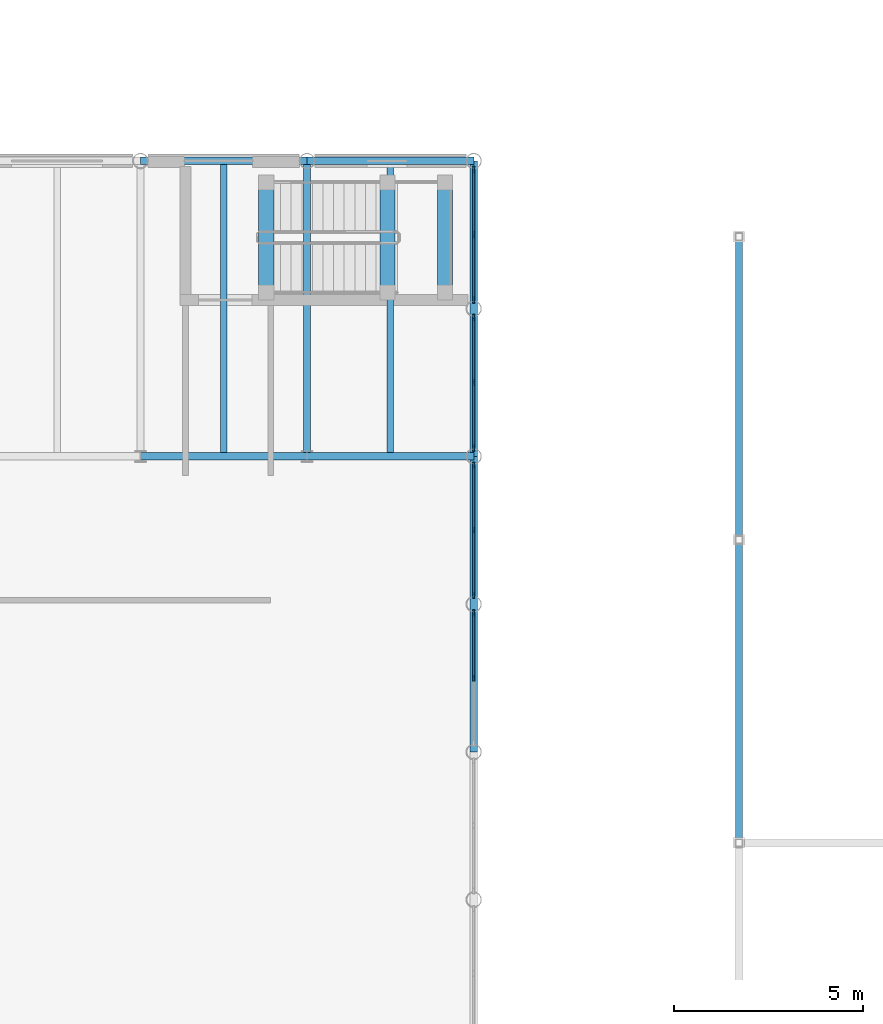
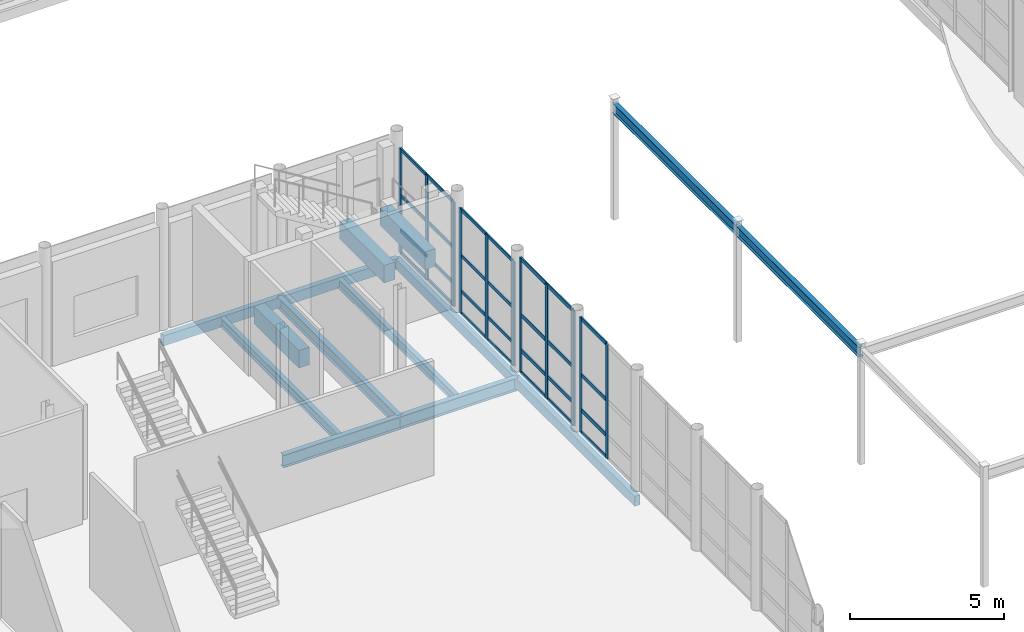
# One storey, part 51 of 131: 39 members, 14 beams, 4 elements without a shape of their own.
"""IFC4 building model written with IfcOpenShell, lengths in metres."""

from ifc_helpers import new_model, si_unit, direction, frame, origin, origin_2d, place, context, subcontext, project, spatial, rectangle, hollow_rectangle, i_section, extrude, material, layer, layer_set, material_profile, profile_set, type_object, element, aggregate, save


model = new_model("IFC4")

# Units and contexts
model_context = context("Model", 3, precision=1e-05, world=origin(), true_north=direction((0.0, 1.0)))
body_context = subcontext(model_context, "Body", "Model", "MODEL_VIEW")
ifc_project = project(units=[si_unit("LENGTHUNIT", "METRE"), si_unit("AREAUNIT", "SQUARE_METRE"), si_unit("VOLUMEUNIT", "CUBIC_METRE"), si_unit("PLANEANGLEUNIT", "RADIAN"), si_unit("MASSUNIT", "GRAM", prefix="KILO")], contexts=[model_context])

# Site, building, storey
site_placement = place(None, origin())
site = spatial("IfcSite", under=ifc_project, at=site_placement, CompositionType="ELEMENT")
building_placement = place(site_placement, origin())
building = spatial("IfcBuilding", under=site, at=building_placement, Name="Celorna Specialist Clinic", CompositionType="ELEMENT")
storey_placement = place(building_placement, origin())
storey = spatial("IfcBuildingStorey", under=building, at=storey_placement, Name="L00", CompositionType="ELEMENT", Elevation=0.0)

# Beams
ifc_material_1 = material(Name="Steel S355", Category="steel")
ifc_material_profile_1 = material_profile(ifc_material_1, i_section(OverallWidth=0.199951171875, OverallDepth=0.5, WebThickness=0.01025390625, FlangeThickness=0.01611328125, at=origin_2d()), Name="IPE 500")
ifc_profile_set_1 = profile_set([ifc_material_profile_1], Name="Steel S355")
beam_type_1 = type_object("IfcBeamType", Name="BM-08", PredefinedType="BEAM", material=ifc_profile_set_1)
beam_1_placement = place(storey_placement, frame((94.199951171875, 70.199951171875, -0.550048828125), z_axis=(1.0, 0.0, 0.0), x_axis=(0.0, 1.0, 0.0)))
element("IfcBeam", 1, at=beam_1_placement, inside=storey, type_object=beam_type_1, Name="Primary girder BM-08 #148", PredefinedType="BEAM", context=body_context, shape_type="SweptSolid", body=[
    extrude(i_section(OverallWidth=0.199951171875, OverallDepth=0.5, WebThickness=0.01025390625, FlangeThickness=0.01611328125, at=origin_2d()), origin(), (0.0, 0.0, 1.0), 4.400146484375),
])
beam_2_placement = place(storey_placement, frame((98.60009765625, 70.199951171875, -0.550048828125), z_axis=(1.0, 0.0, 0.0), x_axis=(0.0, 1.0, 0.0)))
element("IfcBeam", 2, at=beam_2_placement, inside=storey, type_object=beam_type_1, Name="Primary girder BM-08 #149", PredefinedType="BEAM", context=body_context, shape_type="SweptSolid", body=[
    extrude(i_section(OverallWidth=0.199951171875, OverallDepth=0.5, WebThickness=0.01025390625, FlangeThickness=0.01611328125, at=origin_2d()), origin(), (0.0, 0.0, 1.0), 4.39990234375),
])
ifc_material_profile_2 = material_profile(ifc_material_1, i_section(OverallWidth=0.18994140625, OverallDepth=0.449951171875, WebThickness=0.009521484375, FlangeThickness=0.0146484375, at=origin_2d()), Name="IPE 450")
ifc_profile_set_2 = profile_set([ifc_material_profile_2], Name="Steel S355")
beam_type_2 = type_object("IfcBeamType", Name="BM-09", PredefinedType="BEAM", material=ifc_profile_set_2)
beam_3_placement = place(storey_placement, frame((98.60009765625, 70.199951171875, -0.52490234375), z_axis=(0.0, 1.0, 0.0), x_axis=(-1.0, 0.0, 0.0)))
element("IfcBeam", 3, at=beam_3_placement, inside=storey, type_object=beam_type_2, Name="Transverse girder BM-09 #174", PredefinedType="BEAM", context=body_context, shape_type="SweptSolid", body=[
    extrude(i_section(OverallWidth=0.18994140625, OverallDepth=0.449951171875, WebThickness=0.009521484375, FlangeThickness=0.0146484375, at=origin_2d()), origin(), (0.0, 0.0, 1.0), 7.800048828125),
])
ifc_material_profile_3 = material_profile(ifc_material_1, i_section(OverallWidth=0.179931640625, OverallDepth=0.39990234375, WebThickness=0.008544921875, FlangeThickness=0.013427734375, at=origin_2d()), Name="IPE 400")
ifc_profile_set_3 = profile_set([ifc_material_profile_3], Name="Steel S355")
beam_type_3 = type_object("IfcBeamType", Name="BM-10", PredefinedType="BEAM", material=ifc_profile_set_3)
for number, where, z_axis, x_axis, name in (
    (4, (110.0, 60.0, 4.39990234375), (0.0, 1.0, 0.0), (-1.0, 0.0, 0.0), "Healing garden pergola beam #2"),
    (5, (110.0, 68.0, 4.39990234375), (0.0, 1.0, 0.0), (-1.0, 0.0, 0.0), "Healing garden pergola beam #3"),
):
    element("IfcBeam", number, at=place(storey_placement, frame(where, z_axis=z_axis, x_axis=x_axis)), inside=storey, type_object=beam_type_3, Name=name, PredefinedType="BEAM", context=body_context, shape_type="SweptSolid", body=[
        extrude(i_section(OverallWidth=0.179931640625, OverallDepth=0.39990234375, WebThickness=0.008544921875, FlangeThickness=0.013427734375, at=origin_2d()), origin(), (0.0, 0.0, 1.0), 8.0),
    ])
ifc_material_profile_4 = material_profile(ifc_material_1, i_section(OverallWidth=0.169921875, OverallDepth=0.360107421875, WebThickness=0.008056640625, FlangeThickness=0.0126953125, at=origin_2d()), Name="IPE 360")
ifc_profile_set_4 = profile_set([ifc_material_profile_4], Name="Steel S355")
beam_type_4 = type_object("IfcBeamType", Name="BM-11", PredefinedType="JOIST", material=ifc_profile_set_4)
for number, where, z_axis, x_axis, name in (
    (6, (96.39990234375, 70.2880859375, -0.47998046875), (0.0, 1.0, 0.0), (-1.0, 0.0, 0.0), "Secondary floor joist BM-11 #188"),
    (7, (100.800048828125, 70.2880859375, -0.47998046875), (0.0, 1.0, 0.0), (-1.0, 0.0, 0.0), "Secondary floor joist BM-11 #189"),
):
    element("IfcBeam", number, at=place(storey_placement, frame(where, z_axis=z_axis, x_axis=x_axis)), inside=storey, type_object=beam_type_4, Name=name, PredefinedType="JOIST", context=body_context, shape_type="SweptSolid", body=[
        extrude(i_section(OverallWidth=0.169921875, OverallDepth=0.360107421875, WebThickness=0.008056640625, FlangeThickness=0.0126953125, at=origin_2d()), origin(), (0.0, 0.0, 1.0), 7.6240234375),
    ])
ifc_material_profile_5 = material_profile(ifc_material_1, hollow_rectangle(XDim=0.199951171875, YDim=0.39990234375, WallThickness=0.011962890625, at=origin_2d()), Name="RHS 200x400x12")
ifc_profile_set_5 = profile_set([ifc_material_profile_5], Name="Steel S355")
beam_type_5 = type_object("IfcBeamType", Name="BM-15", PredefinedType="SPANDREL", material=ifc_profile_set_5)
beam_4_placement = place(storey_placement, frame((94.199951171875, 78.0, -0.5), z_axis=(1.0, 0.0, 0.0), x_axis=(0.0, 1.0, 0.0)))
element("IfcBeam", 8, at=beam_4_placement, inside=storey, type_object=beam_type_5, Name="Spandrel beam BM-15 #159", PredefinedType="SPANDREL", context=body_context, shape_type="SweptSolid", body=[
    extrude(hollow_rectangle(XDim=0.199951171875, YDim=0.39990234375, WallThickness=0.011962890625, at=origin_2d()), origin(), (0.0, 0.0, 1.0), 4.400146484375),
])
beam_5_placement = place(storey_placement, frame((98.60009765625, 78.0, -0.5), z_axis=(1.0, 0.0, 0.0), x_axis=(0.0, 1.0, 0.0)))
element("IfcBeam", 9, at=beam_5_placement, inside=storey, type_object=beam_type_5, Name="Spandrel beam BM-15 #160", PredefinedType="SPANDREL", context=body_context, shape_type="SweptSolid", body=[
    extrude(hollow_rectangle(XDim=0.199951171875, YDim=0.39990234375, WallThickness=0.011962890625, at=origin_2d()), origin(), (0.0, 0.0, 1.0), 4.39990234375),
])
for number, where, z_axis, x_axis, name in (
    (10, (103.0, 62.39990234375, -0.5), (0.0, 1.0, 0.0), (-1.0, 0.0, 0.0), "Spandrel beam BM-15 #177"),
    (11, (103.0, 70.199951171875, -0.5), (0.0, 1.0, 0.0), (-1.0, 0.0, 0.0), "Spandrel beam BM-15 #178"),
):
    element("IfcBeam", number, at=place(storey_placement, frame(where, z_axis=z_axis, x_axis=x_axis)), inside=storey, type_object=beam_type_5, Name=name, PredefinedType="SPANDREL", context=body_context, shape_type="SweptSolid", body=[
        extrude(hollow_rectangle(XDim=0.199951171875, YDim=0.39990234375, WallThickness=0.011962890625, at=origin_2d()), origin(), (0.0, 0.0, 1.0), 7.800048828125),
    ])
ifc_material_2 = material(Name="Concrete C35/45", Category="concrete")
ifc_material_profile_6 = material_profile(ifc_material_2, rectangle(XDim=0.39990234375, YDim=0.699951171875, at=origin_2d()), Name="RC 400x700")
ifc_profile_set_6 = profile_set([ifc_material_profile_6], Name="Concrete C35/45")
beam_type_6 = type_object("IfcBeamType", Name="BM-19", PredefinedType="BEAM", material=ifc_profile_set_6)
for number, where, z_axis, x_axis, name in (
    (12, (97.52001953125, 74.530029296875, -0.27490234375), (0.0, 1.0, 0.0), (-1.0, 0.0, 0.0), "Stair ST-11 floor landing trimmer beam L00"),
    (13, (100.719970703125, 74.530029296875, 1.97509765625), (0.0, 1.0, 0.0), (-1.0, 0.0, 0.0), "Stair ST-11 half-landing beam L00"),
    (14, (102.239990234375, 74.530029296875, 1.97509765625), (0.0, 1.0, 0.0), (-1.0, 0.0, 0.0), "Stair ST-11 half-landing beam L00"),
):
    element("IfcBeam", number, at=place(storey_placement, frame(where, z_axis=z_axis, x_axis=x_axis)), inside=storey, type_object=beam_type_6, Name=name, PredefinedType="BEAM", context=body_context, shape_type="SweptSolid", body=[
        extrude(rectangle(XDim=0.39990234375, YDim=0.699951171875, at=origin_2d()), origin(), (0.0, 0.0, 1.0), 2.89990234375),
    ])

# Curtain wall, members
ifc_material_3 = material(Name="Thermally broken aluminium and solar-control glass curtain wall", Category="aluminium")
ifc_layer_1 = layer(ifc_material_3, 0.159912109375, Name="Thermally broken aluminium and solar-control glass curtain wall")
ifc_layer_set_1 = layer_set([ifc_layer_1], Name="Thermally broken aluminium and solar-control glass curtain wall")
curtain_wall_type_1 = type_object("IfcCurtainWallType", Name="CW-06", PredefinedType="NOTDEFINED", material=ifc_layer_set_1)
curtain_wall_1_placement = place(storey_placement, origin())
curtain_wall_1 = element("IfcCurtainWall", 15, at=curtain_wall_1_placement, inside=storey, type_object=curtain_wall_type_1, Name="Curtain wall CW-06 #22", PredefinedType="NOTDEFINED")
ifc_material_4 = material(Name="Anodized aluminium mullion", Category="aluminium")
ifc_material_profile_7 = material_profile(ifc_material_4, rectangle(XDim=0.050048828125, YDim=0.159912109375, at=origin_2d()), Name="ALU MULLION 50x160")
ifc_profile_set_7 = profile_set([ifc_material_profile_7], Name="Anodized aluminium mullion")
member_type_1 = type_object("IfcMemberType", Name="ML-01", PredefinedType="MULLION", material=ifc_profile_set_7)
member_1_placement = place(storey_placement, frame((103.0, 69.9677734375, 0.0), z_axis=(0.0, 0.0, 1.0), x_axis=(1.0, 0.0, 0.0)))
member_1 = element("IfcMember", 16, at=member_1_placement, type_object=member_type_1, Name="CW-06 mullion 1", PredefinedType="MULLION", context=body_context, shape_type="SweptSolid", body=[
    extrude(rectangle(XDim=0.050048828125, YDim=0.159912109375, at=origin_2d()), origin(), (0.0, 0.0, 1.0), 4.5400390625),
])
member_2_placement = place(storey_placement, frame((103.0, 68.25, 0.0), z_axis=(0.0, 0.0, 1.0), x_axis=(1.0, 0.0, 0.0)))
member_2 = element("IfcMember", 17, at=member_2_placement, type_object=member_type_1, Name="CW-06 mullion 2", PredefinedType="MULLION", context=body_context, shape_type="SweptSolid", body=[
    extrude(rectangle(XDim=0.050048828125, YDim=0.159912109375, at=origin_2d()), origin(), (0.0, 0.0, 1.0), 4.5400390625),
])
member_3_placement = place(storey_placement, frame((103.0, 66.5322265625, 0.0), z_axis=(0.0, 0.0, 1.0), x_axis=(1.0, 0.0, 0.0)))
member_3 = element("IfcMember", 18, at=member_3_placement, type_object=member_type_1, Name="CW-06 mullion 3", PredefinedType="MULLION", context=body_context, shape_type="SweptSolid", body=[
    extrude(rectangle(XDim=0.050048828125, YDim=0.159912109375, at=origin_2d()), origin(), (0.0, 0.0, 1.0), 4.5400390625),
])

curtain_wall_2_placement = place(storey_placement, origin())
curtain_wall_2 = element("IfcCurtainWall", 19, at=curtain_wall_2_placement, inside=storey, type_object=curtain_wall_type_1, Name="Curtain wall CW-06 #23", PredefinedType="NOTDEFINED")
member_4_placement = place(storey_placement, frame((103.0, 66.06787109375, 0.0), z_axis=(0.0, 0.0, 1.0), x_axis=(1.0, 0.0, 0.0)))
member_4 = element("IfcMember", 20, at=member_4_placement, type_object=member_type_1, Name="CW-06 mullion 1", PredefinedType="MULLION", context=body_context, shape_type="SweptSolid", body=[
    extrude(rectangle(XDim=0.050048828125, YDim=0.159912109375, at=origin_2d()), origin(), (0.0, 0.0, 1.0), 4.5400390625),
])
member_5_placement = place(storey_placement, frame((103.0, 64.35009765625, 0.0), z_axis=(0.0, 0.0, 1.0), x_axis=(1.0, 0.0, 0.0)))
member_5 = element("IfcMember", 21, at=member_5_placement, type_object=member_type_1, Name="CW-06 mullion 2", PredefinedType="MULLION", context=body_context, shape_type="SweptSolid", body=[
    extrude(rectangle(XDim=0.050048828125, YDim=0.159912109375, at=origin_2d()), origin(), (0.0, 0.0, 1.0), 4.5400390625),
])

ifc_layer_2 = layer(ifc_material_3, 0.159912109375, Name="Thermally broken aluminium and solar-control glass curtain wall")
ifc_layer_set_2 = layer_set([ifc_layer_2], Name="Thermally broken aluminium and solar-control glass curtain wall")
curtain_wall_type_2 = type_object("IfcCurtainWallType", Name="CW-07", PredefinedType="NOTDEFINED", material=ifc_layer_set_2)
curtain_wall_3_placement = place(storey_placement, origin())
curtain_wall_3 = element("IfcCurtainWall", 22, at=curtain_wall_3_placement, inside=storey, type_object=curtain_wall_type_2, Name="Curtain wall CW-07 #24", PredefinedType="NOTDEFINED")
ifc_material_profile_8 = material_profile(ifc_material_4, rectangle(XDim=0.050048828125, YDim=0.179931640625, at=origin_2d()), Name="ALU MULLION 50x180")
ifc_profile_set_8 = profile_set([ifc_material_profile_8], Name="Anodized aluminium mullion")
member_type_2 = type_object("IfcMemberType", Name="ML-02", PredefinedType="MULLION", material=ifc_profile_set_8)
member_6_placement = place(storey_placement, frame((103.0, 77.767822265625, 0.0), z_axis=(0.0, 0.0, 1.0), x_axis=(1.0, 0.0, 0.0)))
member_6 = element("IfcMember", 23, at=member_6_placement, type_object=member_type_2, Name="CW-07 mullion 1", PredefinedType="MULLION", context=body_context, shape_type="SweptSolid", body=[
    extrude(rectangle(XDim=0.050048828125, YDim=0.179931640625, at=origin_2d()), origin(), (0.0, 0.0, 1.0), 4.139892578125),
])
member_7_placement = place(storey_placement, frame((103.0, 76.050048828125, 0.0), z_axis=(0.0, 0.0, 1.0), x_axis=(1.0, 0.0, 0.0)))
member_7 = element("IfcMember", 24, at=member_7_placement, type_object=member_type_2, Name="CW-07 mullion 2", PredefinedType="MULLION", context=body_context, shape_type="SweptSolid", body=[
    extrude(rectangle(XDim=0.050048828125, YDim=0.179931640625, at=origin_2d()), origin(), (0.0, 0.0, 1.0), 4.139892578125),
])
member_8_placement = place(storey_placement, frame((103.0, 74.332275390625, 0.0), z_axis=(0.0, 0.0, 1.0), x_axis=(1.0, 0.0, 0.0)))
member_8 = element("IfcMember", 25, at=member_8_placement, type_object=member_type_2, Name="CW-07 mullion 3", PredefinedType="MULLION", context=body_context, shape_type="SweptSolid", body=[
    extrude(rectangle(XDim=0.050048828125, YDim=0.179931640625, at=origin_2d()), origin(), (0.0, 0.0, 1.0), 4.139892578125),
])

curtain_wall_4_placement = place(storey_placement, origin())
curtain_wall_4 = element("IfcCurtainWall", 26, at=curtain_wall_4_placement, inside=storey, type_object=curtain_wall_type_2, Name="Curtain wall CW-07 #25", PredefinedType="NOTDEFINED")
member_9_placement = place(storey_placement, frame((103.0, 73.867919921875, 0.0), z_axis=(0.0, 0.0, 1.0), x_axis=(1.0, 0.0, 0.0)))
member_9 = element("IfcMember", 27, at=member_9_placement, type_object=member_type_2, Name="CW-07 mullion 1", PredefinedType="MULLION", context=body_context, shape_type="SweptSolid", body=[
    extrude(rectangle(XDim=0.050048828125, YDim=0.179931640625, at=origin_2d()), origin(), (0.0, 0.0, 1.0), 4.139892578125),
])
member_10_placement = place(storey_placement, frame((103.0, 72.14990234375, 0.0), z_axis=(0.0, 0.0, 1.0), x_axis=(1.0, 0.0, 0.0)))
member_10 = element("IfcMember", 28, at=member_10_placement, type_object=member_type_2, Name="CW-07 mullion 2", PredefinedType="MULLION", context=body_context, shape_type="SweptSolid", body=[
    extrude(rectangle(XDim=0.050048828125, YDim=0.179931640625, at=origin_2d()), origin(), (0.0, 0.0, 1.0), 4.139892578125),
])
member_11_placement = place(storey_placement, frame((103.0, 70.43212890625, 0.0), z_axis=(0.0, 0.0, 1.0), x_axis=(1.0, 0.0, 0.0)))
member_11 = element("IfcMember", 29, at=member_11_placement, type_object=member_type_2, Name="CW-07 mullion 3", PredefinedType="MULLION", context=body_context, shape_type="SweptSolid", body=[
    extrude(rectangle(XDim=0.050048828125, YDim=0.179931640625, at=origin_2d()), origin(), (0.0, 0.0, 1.0), 4.139892578125),
])

# Member
ifc_material_5 = material(Name="Anodized aluminium transom", Category="aluminium")
ifc_material_profile_9 = material_profile(ifc_material_5, rectangle(XDim=0.050048828125, YDim=0.1298828125, at=origin_2d()), Name="ALU TRANSOM 50x130")
ifc_profile_set_9 = profile_set([ifc_material_profile_9], Name="Anodized aluminium transom")
member_type_3 = type_object("IfcMemberType", Name="TR-01", PredefinedType="USERDEFINED", material=ifc_profile_set_9)
member_12_placement = place(storey_placement, frame((103.0, 77.742919921875, 0.02490234375), z_axis=(0.0, -1.0, 0.0), x_axis=(1.0, 0.0, 0.0)))
member_12 = element("IfcMember", 30, at=member_12_placement, type_object=member_type_3, Name="CW-07 transom 1.1", ObjectType="TRANSOM", PredefinedType="USERDEFINED", context=body_context, shape_type="SweptSolid", body=[
    extrude(rectangle(XDim=0.050048828125, YDim=0.1298828125, at=origin_2d()), origin(), (0.0, 0.0, 1.0), 1.66796875),
])

member_13_placement = place(storey_placement, frame((103.0, 77.742919921875, 0.89990234375), z_axis=(0.0, -1.0, 0.0), x_axis=(1.0, 0.0, 0.0)))
member_13 = element("IfcMember", 31, at=member_13_placement, type_object=member_type_3, Name="CW-07 transom 1.2", ObjectType="TRANSOM", PredefinedType="USERDEFINED", context=body_context, shape_type="SweptSolid", body=[
    extrude(rectangle(XDim=0.050048828125, YDim=0.1298828125, at=origin_2d()), origin(), (0.0, 0.0, 1.0), 1.66796875),
])

member_14_placement = place(storey_placement, frame((103.0, 77.742919921875, 2.300048828125), z_axis=(0.0, -1.0, 0.0), x_axis=(1.0, 0.0, 0.0)))
member_14 = element("IfcMember", 32, at=member_14_placement, type_object=member_type_3, Name="CW-07 transom 1.3", ObjectType="TRANSOM", PredefinedType="USERDEFINED", context=body_context, shape_type="SweptSolid", body=[
    extrude(rectangle(XDim=0.050048828125, YDim=0.1298828125, at=origin_2d()), origin(), (0.0, 0.0, 1.0), 1.66796875),
])

member_15_placement = place(storey_placement, frame((103.0, 77.742919921875, 4.114990234375), z_axis=(0.0, -1.0, 0.0), x_axis=(1.0, 0.0, 0.0)))
member_15 = element("IfcMember", 33, at=member_15_placement, type_object=member_type_3, Name="CW-07 transom 1.4", ObjectType="TRANSOM", PredefinedType="USERDEFINED", context=body_context, shape_type="SweptSolid", body=[
    extrude(rectangle(XDim=0.050048828125, YDim=0.1298828125, at=origin_2d()), origin(), (0.0, 0.0, 1.0), 1.66796875),
])

member_16_placement = place(storey_placement, frame((103.0, 76.02490234375, 0.02490234375), z_axis=(0.0, -1.0, 0.0), x_axis=(1.0, 0.0, 0.0)))
member_16 = element("IfcMember", 34, at=member_16_placement, type_object=member_type_3, Name="CW-07 transom 2.1", ObjectType="TRANSOM", PredefinedType="USERDEFINED", context=body_context, shape_type="SweptSolid", body=[
    extrude(rectangle(XDim=0.050048828125, YDim=0.1298828125, at=origin_2d()), origin(), (0.0, 0.0, 1.0), 1.667724609375),
])

member_17_placement = place(storey_placement, frame((103.0, 76.02490234375, 0.89990234375), z_axis=(0.0, -1.0, 0.0), x_axis=(1.0, 0.0, 0.0)))
member_17 = element("IfcMember", 35, at=member_17_placement, type_object=member_type_3, Name="CW-07 transom 2.2", ObjectType="TRANSOM", PredefinedType="USERDEFINED", context=body_context, shape_type="SweptSolid", body=[
    extrude(rectangle(XDim=0.050048828125, YDim=0.1298828125, at=origin_2d()), origin(), (0.0, 0.0, 1.0), 1.667724609375),
])

member_18_placement = place(storey_placement, frame((103.0, 76.02490234375, 2.300048828125), z_axis=(0.0, -1.0, 0.0), x_axis=(1.0, 0.0, 0.0)))
member_18 = element("IfcMember", 36, at=member_18_placement, type_object=member_type_3, Name="CW-07 transom 2.3", ObjectType="TRANSOM", PredefinedType="USERDEFINED", context=body_context, shape_type="SweptSolid", body=[
    extrude(rectangle(XDim=0.050048828125, YDim=0.1298828125, at=origin_2d()), origin(), (0.0, 0.0, 1.0), 1.667724609375),
])

member_19_placement = place(storey_placement, frame((103.0, 76.02490234375, 4.114990234375), z_axis=(0.0, -1.0, 0.0), x_axis=(1.0, 0.0, 0.0)))
member_19 = element("IfcMember", 37, at=member_19_placement, type_object=member_type_3, Name="CW-07 transom 2.4", ObjectType="TRANSOM", PredefinedType="USERDEFINED", context=body_context, shape_type="SweptSolid", body=[
    extrude(rectangle(XDim=0.050048828125, YDim=0.1298828125, at=origin_2d()), origin(), (0.0, 0.0, 1.0), 1.667724609375),
])

aggregate(curtain_wall_3, [member_6, member_7, member_8, member_12, member_13, member_14, member_15, member_16, member_17, member_18, member_19])

member_20_placement = place(storey_placement, frame((103.0, 73.8427734375, 0.02490234375), z_axis=(0.0, -1.0, 0.0), x_axis=(1.0, 0.0, 0.0)))
member_20 = element("IfcMember", 38, at=member_20_placement, type_object=member_type_3, Name="CW-07 transom 1.1", ObjectType="TRANSOM", PredefinedType="USERDEFINED", context=body_context, shape_type="SweptSolid", body=[
    extrude(rectangle(XDim=0.050048828125, YDim=0.1298828125, at=origin_2d()), origin(), (0.0, 0.0, 1.0), 1.667724609375),
])

member_21_placement = place(storey_placement, frame((103.0, 73.8427734375, 0.89990234375), z_axis=(0.0, -1.0, 0.0), x_axis=(1.0, 0.0, 0.0)))
member_21 = element("IfcMember", 39, at=member_21_placement, type_object=member_type_3, Name="CW-07 transom 1.2", ObjectType="TRANSOM", PredefinedType="USERDEFINED", context=body_context, shape_type="SweptSolid", body=[
    extrude(rectangle(XDim=0.050048828125, YDim=0.1298828125, at=origin_2d()), origin(), (0.0, 0.0, 1.0), 1.667724609375),
])

member_22_placement = place(storey_placement, frame((103.0, 73.8427734375, 2.300048828125), z_axis=(0.0, -1.0, 0.0), x_axis=(1.0, 0.0, 0.0)))
member_22 = element("IfcMember", 40, at=member_22_placement, type_object=member_type_3, Name="CW-07 transom 1.3", ObjectType="TRANSOM", PredefinedType="USERDEFINED", context=body_context, shape_type="SweptSolid", body=[
    extrude(rectangle(XDim=0.050048828125, YDim=0.1298828125, at=origin_2d()), origin(), (0.0, 0.0, 1.0), 1.667724609375),
])

member_23_placement = place(storey_placement, frame((103.0, 73.8427734375, 4.114990234375), z_axis=(0.0, -1.0, 0.0), x_axis=(1.0, 0.0, 0.0)))
member_23 = element("IfcMember", 41, at=member_23_placement, type_object=member_type_3, Name="CW-07 transom 1.4", ObjectType="TRANSOM", PredefinedType="USERDEFINED", context=body_context, shape_type="SweptSolid", body=[
    extrude(rectangle(XDim=0.050048828125, YDim=0.1298828125, at=origin_2d()), origin(), (0.0, 0.0, 1.0), 1.667724609375),
])

member_24_placement = place(storey_placement, frame((103.0, 72.125, 0.02490234375), z_axis=(0.0, -1.0, 0.0), x_axis=(1.0, 0.0, 0.0)))
member_24 = element("IfcMember", 42, at=member_24_placement, type_object=member_type_3, Name="CW-07 transom 2.1", ObjectType="TRANSOM", PredefinedType="USERDEFINED", context=body_context, shape_type="SweptSolid", body=[
    extrude(rectangle(XDim=0.050048828125, YDim=0.1298828125, at=origin_2d()), origin(), (0.0, 0.0, 1.0), 1.667724609375),
])

member_25_placement = place(storey_placement, frame((103.0, 72.125, 0.89990234375), z_axis=(0.0, -1.0, 0.0), x_axis=(1.0, 0.0, 0.0)))
member_25 = element("IfcMember", 43, at=member_25_placement, type_object=member_type_3, Name="CW-07 transom 2.2", ObjectType="TRANSOM", PredefinedType="USERDEFINED", context=body_context, shape_type="SweptSolid", body=[
    extrude(rectangle(XDim=0.050048828125, YDim=0.1298828125, at=origin_2d()), origin(), (0.0, 0.0, 1.0), 1.667724609375),
])

member_26_placement = place(storey_placement, frame((103.0, 72.125, 2.300048828125), z_axis=(0.0, -1.0, 0.0), x_axis=(1.0, 0.0, 0.0)))
member_26 = element("IfcMember", 44, at=member_26_placement, type_object=member_type_3, Name="CW-07 transom 2.3", ObjectType="TRANSOM", PredefinedType="USERDEFINED", context=body_context, shape_type="SweptSolid", body=[
    extrude(rectangle(XDim=0.050048828125, YDim=0.1298828125, at=origin_2d()), origin(), (0.0, 0.0, 1.0), 1.667724609375),
])

member_27_placement = place(storey_placement, frame((103.0, 72.125, 4.114990234375), z_axis=(0.0, -1.0, 0.0), x_axis=(1.0, 0.0, 0.0)))
member_27 = element("IfcMember", 45, at=member_27_placement, type_object=member_type_3, Name="CW-07 transom 2.4", ObjectType="TRANSOM", PredefinedType="USERDEFINED", context=body_context, shape_type="SweptSolid", body=[
    extrude(rectangle(XDim=0.050048828125, YDim=0.1298828125, at=origin_2d()), origin(), (0.0, 0.0, 1.0), 1.667724609375),
])

aggregate(curtain_wall_4, [member_9, member_10, member_11, member_20, member_21, member_22, member_23, member_24, member_25, member_26, member_27])

ifc_material_profile_10 = material_profile(ifc_material_5, rectangle(XDim=0.050048828125, YDim=0.14990234375, at=origin_2d()), Name="ALU TRANSOM 50x150")
ifc_profile_set_10 = profile_set([ifc_material_profile_10], Name="Anodized aluminium transom")
member_type_4 = type_object("IfcMemberType", Name="TR-02", PredefinedType="USERDEFINED", material=ifc_profile_set_10)
member_28_placement = place(storey_placement, frame((103.0, 69.94287109375, 0.02490234375), z_axis=(0.0, -1.0, 0.0), x_axis=(1.0, 0.0, 0.0)))
member_28 = element("IfcMember", 46, at=member_28_placement, type_object=member_type_4, Name="CW-06 transom 1.1", ObjectType="TRANSOM", PredefinedType="USERDEFINED", context=body_context, shape_type="SweptSolid", body=[
    extrude(rectangle(XDim=0.050048828125, YDim=0.14990234375, at=origin_2d()), origin(), (0.0, 0.0, 1.0), 1.66796875),
])

member_29_placement = place(storey_placement, frame((103.0, 69.94287109375, 0.89990234375), z_axis=(0.0, -1.0, 0.0), x_axis=(1.0, 0.0, 0.0)))
member_29 = element("IfcMember", 47, at=member_29_placement, type_object=member_type_4, Name="CW-06 transom 1.2", ObjectType="TRANSOM", PredefinedType="USERDEFINED", context=body_context, shape_type="SweptSolid", body=[
    extrude(rectangle(XDim=0.050048828125, YDim=0.14990234375, at=origin_2d()), origin(), (0.0, 0.0, 1.0), 1.66796875),
])

member_30_placement = place(storey_placement, frame((103.0, 69.94287109375, 2.300048828125), z_axis=(0.0, -1.0, 0.0), x_axis=(1.0, 0.0, 0.0)))
member_30 = element("IfcMember", 48, at=member_30_placement, type_object=member_type_4, Name="CW-06 transom 1.3", ObjectType="TRANSOM", PredefinedType="USERDEFINED", context=body_context, shape_type="SweptSolid", body=[
    extrude(rectangle(XDim=0.050048828125, YDim=0.14990234375, at=origin_2d()), origin(), (0.0, 0.0, 1.0), 1.66796875),
])

member_31_placement = place(storey_placement, frame((103.0, 69.94287109375, 4.514892578125), z_axis=(0.0, -1.0, 0.0), x_axis=(1.0, 0.0, 0.0)))
member_31 = element("IfcMember", 49, at=member_31_placement, type_object=member_type_4, Name="CW-06 transom 1.4", ObjectType="TRANSOM", PredefinedType="USERDEFINED", context=body_context, shape_type="SweptSolid", body=[
    extrude(rectangle(XDim=0.050048828125, YDim=0.14990234375, at=origin_2d()), origin(), (0.0, 0.0, 1.0), 1.66796875),
])

member_32_placement = place(storey_placement, frame((103.0, 68.22509765625, 0.02490234375), z_axis=(0.0, -1.0, 0.0), x_axis=(1.0, 0.0, 0.0)))
member_32 = element("IfcMember", 50, at=member_32_placement, type_object=member_type_4, Name="CW-06 transom 2.1", ObjectType="TRANSOM", PredefinedType="USERDEFINED", context=body_context, shape_type="SweptSolid", body=[
    extrude(rectangle(XDim=0.050048828125, YDim=0.14990234375, at=origin_2d()), origin(), (0.0, 0.0, 1.0), 1.66796875),
])

member_33_placement = place(storey_placement, frame((103.0, 68.22509765625, 0.89990234375), z_axis=(0.0, -1.0, 0.0), x_axis=(1.0, 0.0, 0.0)))
member_33 = element("IfcMember", 51, at=member_33_placement, type_object=member_type_4, Name="CW-06 transom 2.2", ObjectType="TRANSOM", PredefinedType="USERDEFINED", context=body_context, shape_type="SweptSolid", body=[
    extrude(rectangle(XDim=0.050048828125, YDim=0.14990234375, at=origin_2d()), origin(), (0.0, 0.0, 1.0), 1.66796875),
])

member_34_placement = place(storey_placement, frame((103.0, 68.22509765625, 2.300048828125), z_axis=(0.0, -1.0, 0.0), x_axis=(1.0, 0.0, 0.0)))
member_34 = element("IfcMember", 52, at=member_34_placement, type_object=member_type_4, Name="CW-06 transom 2.3", ObjectType="TRANSOM", PredefinedType="USERDEFINED", context=body_context, shape_type="SweptSolid", body=[
    extrude(rectangle(XDim=0.050048828125, YDim=0.14990234375, at=origin_2d()), origin(), (0.0, 0.0, 1.0), 1.66796875),
])

member_35_placement = place(storey_placement, frame((103.0, 68.22509765625, 4.514892578125), z_axis=(0.0, -1.0, 0.0), x_axis=(1.0, 0.0, 0.0)))
member_35 = element("IfcMember", 53, at=member_35_placement, type_object=member_type_4, Name="CW-06 transom 2.4", ObjectType="TRANSOM", PredefinedType="USERDEFINED", context=body_context, shape_type="SweptSolid", body=[
    extrude(rectangle(XDim=0.050048828125, YDim=0.14990234375, at=origin_2d()), origin(), (0.0, 0.0, 1.0), 1.66796875),
])

aggregate(curtain_wall_1, [member_1, member_2, member_3, member_28, member_29, member_30, member_31, member_32, member_33, member_34, member_35])

member_36_placement = place(storey_placement, frame((103.0, 66.042724609375, 0.02490234375), z_axis=(0.0, -1.0, 0.0), x_axis=(1.0, 0.0, 0.0)))
member_36 = element("IfcMember", 54, at=member_36_placement, type_object=member_type_4, Name="CW-06 transom 1.1", ObjectType="TRANSOM", PredefinedType="USERDEFINED", context=body_context, shape_type="SweptSolid", body=[
    extrude(rectangle(XDim=0.050048828125, YDim=0.14990234375, at=origin_2d()), origin(), (0.0, 0.0, 1.0), 1.667724609375),
])

member_37_placement = place(storey_placement, frame((103.0, 66.042724609375, 0.89990234375), z_axis=(0.0, -1.0, 0.0), x_axis=(1.0, 0.0, 0.0)))
member_37 = element("IfcMember", 55, at=member_37_placement, type_object=member_type_4, Name="CW-06 transom 1.2", ObjectType="TRANSOM", PredefinedType="USERDEFINED", context=body_context, shape_type="SweptSolid", body=[
    extrude(rectangle(XDim=0.050048828125, YDim=0.14990234375, at=origin_2d()), origin(), (0.0, 0.0, 1.0), 1.667724609375),
])

member_38_placement = place(storey_placement, frame((103.0, 66.042724609375, 2.300048828125), z_axis=(0.0, -1.0, 0.0), x_axis=(1.0, 0.0, 0.0)))
member_38 = element("IfcMember", 56, at=member_38_placement, type_object=member_type_4, Name="CW-06 transom 1.3", ObjectType="TRANSOM", PredefinedType="USERDEFINED", context=body_context, shape_type="SweptSolid", body=[
    extrude(rectangle(XDim=0.050048828125, YDim=0.14990234375, at=origin_2d()), origin(), (0.0, 0.0, 1.0), 1.667724609375),
])

member_39_placement = place(storey_placement, frame((103.0, 66.042724609375, 4.514892578125), z_axis=(0.0, -1.0, 0.0), x_axis=(1.0, 0.0, 0.0)))
member_39 = element("IfcMember", 57, at=member_39_placement, type_object=member_type_4, Name="CW-06 transom 1.4", ObjectType="TRANSOM", PredefinedType="USERDEFINED", context=body_context, shape_type="SweptSolid", body=[
    extrude(rectangle(XDim=0.050048828125, YDim=0.14990234375, at=origin_2d()), origin(), (0.0, 0.0, 1.0), 1.667724609375),
])

aggregate(curtain_wall_2, [member_4, member_5, member_36, member_37, member_38, member_39])

save(model, "model.ifc")
